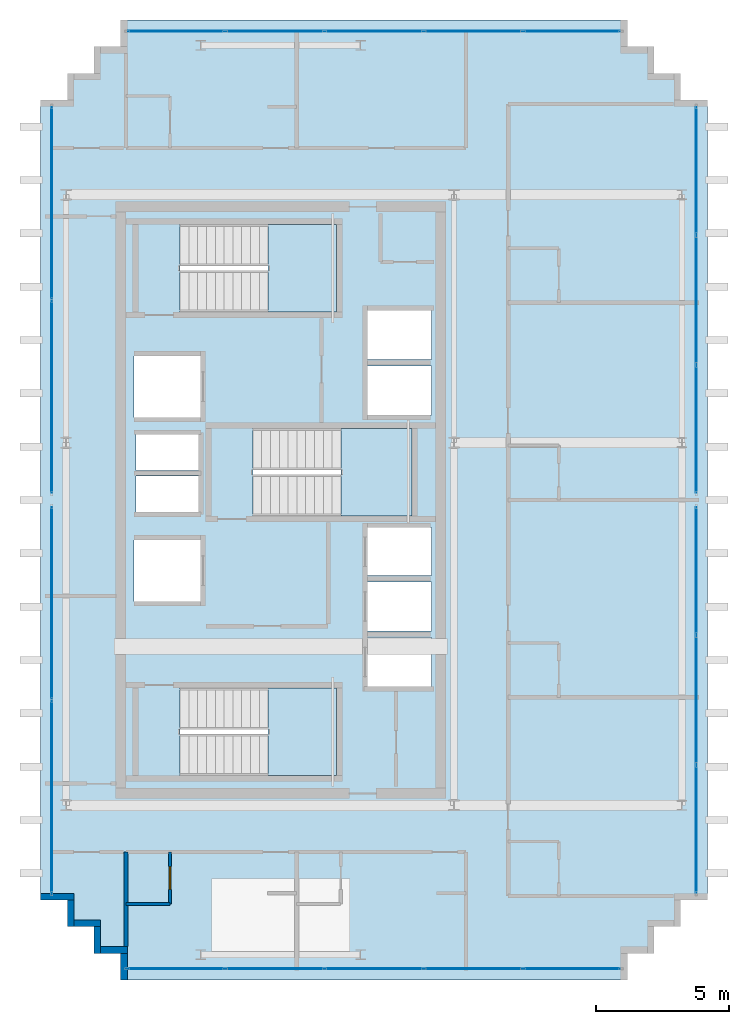
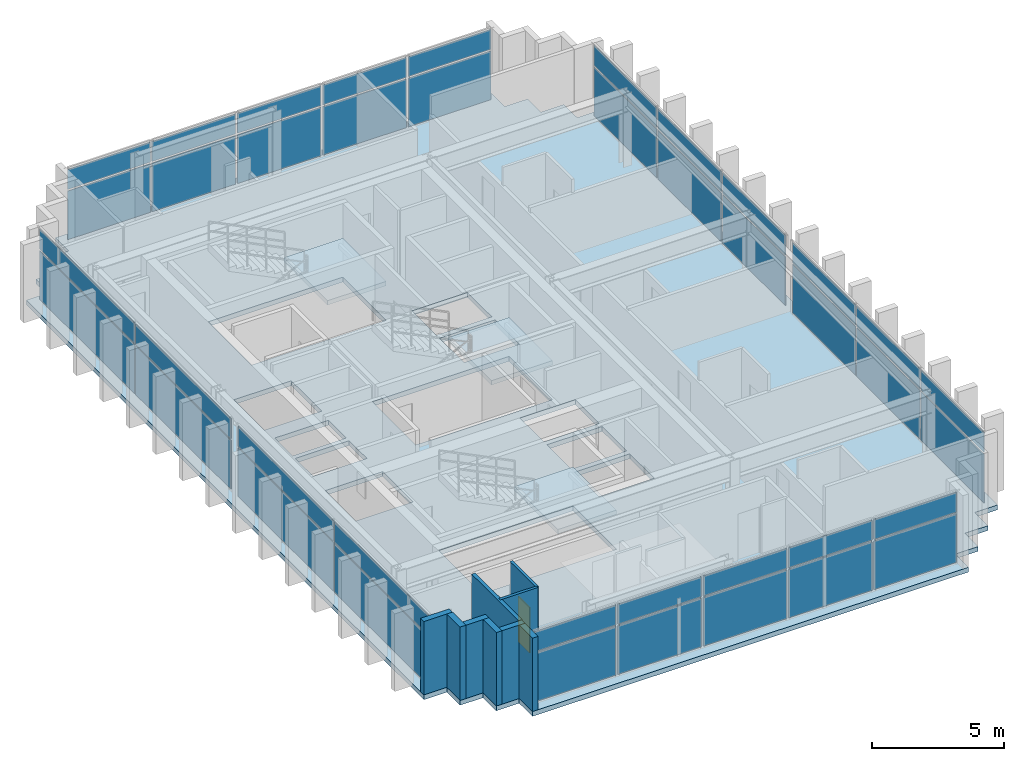
# One storey, part 11 of 15: 40 plates, 9 walls, 4 slabs, 1 door, 1 opening, 9 elements without a shape of their own.
"""IFC4 building model written with IfcOpenShell, lengths in metres."""

import ifcopenshell
import ifcopenshell.guid

model = None  # the IFC model being written
_history = None  # IfcOwnerHistory: only IFC2X3 demands one
_inside = {}  # id of a spatial element -> (the spatial element, [elements in it])
_under = {}  # id of a project, library or spatial element -> (it, [spatial elements below it])
_declared = {}  # id of a project -> (the project, [libraries it declares])
_typed = {}  # id of a type object -> (the type object, [elements of that type])
_made_of = {}  # id of a material, layer set ... -> (it, [elements and type objects made of it])


def new_model(schema):
    """Start an empty IFC model of exactly this schema.

    Asked for "IFC4X3", IfcOpenShell would pick the latest addendum, in which some entities
    have other attributes; the version numbers below select the first issue.
    IFC2X3 requires an IfcOwnerHistory on every rooted entity: one is made here for all.
    """
    global model, _history
    if schema == "IFC4X3":
        model = ifcopenshell.file(schema_version=(4, 3, 0, 0))
    else:
        model = ifcopenshell.file(schema=schema)
    _inside.clear()
    _under.clear()
    _declared.clear()
    _typed.clear()
    _made_of.clear()
    _history = None
    if model.schema == "IFC2X3":
        org = make("IfcOrganization", Name="unknown")
        user = make(
            "IfcPersonAndOrganization",
            ThePerson=make("IfcPerson", FamilyName="unknown"),
            TheOrganization=org,
        )
        app = make(
            "IfcApplication",
            ApplicationDeveloper=org,
            Version="unknown",
            ApplicationFullName="unknown",
            ApplicationIdentifier="unknown",
        )
        _history = make(
            "IfcOwnerHistory",
            OwningUser=user,
            OwningApplication=app,
            ChangeAction="ADDED",
            CreationDate=0,
        )
    return model


def make(cls, **values):
    """One entity of the class cls with the attributes given. An attribute that is None is left unset."""
    return model.create_entity(
        cls, **{name: value for name, value in values.items() if value is not None}
    )


def rooted(cls, **values):
    """An entity with a GlobalId (a new one), such as an element, a storey or a relation."""
    return make(cls, GlobalId=ifcopenshell.guid.new(), OwnerHistory=_history, **values)


def si_unit(unit_type, name, prefix=None):
    """IfcSIUnit, for example si_unit("LENGTHUNIT", "METRE", prefix="MILLI")."""
    return make("IfcSIUnit", UnitType=unit_type, Prefix=prefix, Name=name)


def assignment(units):
    """IfcUnitAssignment: the units of a project."""
    return None if units is None else make("IfcUnitAssignment", Units=units)


def point(xyz):
    """IfcCartesianPoint."""
    return None if xyz is None else make("IfcCartesianPoint", Coordinates=xyz)


def direction(xyz):
    """IfcDirection."""
    return None if xyz is None else make("IfcDirection", DirectionRatios=xyz)


def frame(location, z_axis=None, x_axis=None):
    """IfcAxis2Placement3D, a coordinate frame: its origin and axes. An axis left out is left unset."""
    return make(
        "IfcAxis2Placement3D",
        Location=point(location),
        Axis=direction(z_axis),
        RefDirection=direction(x_axis),
    )


def frame_2d(location, x_axis=None):
    """IfcAxis2Placement2D, a coordinate frame in the plane: its origin and x axis."""
    return make(
        "IfcAxis2Placement2D", Location=point(location), RefDirection=direction(x_axis)
    )


def origin():
    """The frame at (0, 0, 0) with its axes left unset."""
    return frame((0.0, 0.0, 0.0))


def origin_2d():
    """The frame at (0, 0) in the plane with its x axis left unset."""
    return frame_2d((0.0, 0.0))


def place(relative_to, where):
    """IfcLocalPlacement: puts the frame where relative to a parent placement (None: the world)."""
    return make(
        "IfcLocalPlacement", PlacementRelTo=relative_to, RelativePlacement=where
    )


def context(
    kind, dimensions, precision=None, world=None, true_north=None, identifier=None
):
    """IfcGeometricRepresentationContext, for example the 3D "Model" context."""
    return make(
        "IfcGeometricRepresentationContext",
        ContextIdentifier=identifier,
        ContextType=kind,
        CoordinateSpaceDimension=dimensions,
        Precision=precision,
        WorldCoordinateSystem=world,
        TrueNorth=true_north,
    )


def subcontext(parent, identifier, kind, view, scale=None):
    """IfcGeometricRepresentationSubContext, for example "Body" below "Model"."""
    return make(
        "IfcGeometricRepresentationSubContext",
        ContextIdentifier=identifier,
        ContextType=kind,
        ParentContext=parent,
        TargetScale=scale,
        TargetView=view,
    )


def project(units=None, contexts=None):
    """IfcProject with its units and contexts."""
    return rooted(
        "IfcProject",
        Name="project",
        RepresentationContexts=contexts,
        UnitsInContext=assignment(units),
    )


def spatial(cls, under=None, at=None, **own):
    """A site, building, storey or space (cls), placed at a placement, below another one or the project."""
    s = rooted(cls, ObjectPlacement=at, **own)
    if under is not None:
        _under.setdefault(under.id(), (under, []))[1].append(s)
    return s


def polyline(points):
    """IfcPolyline through the points."""
    return make("IfcPolyline", Points=[point(p) for p in points])


def profile(cls, at=None, kind="AREA", **sizes):
    """A parametric profile (cls). Its sizes go by their IFC names, for example OverallWidth=200.0."""
    return make(cls, ProfileType=kind, Position=at, **sizes)


def rectangle(**sizes):
    """IfcRectangleProfileDef."""
    return profile("IfcRectangleProfileDef", **sizes)


def outline(outer, holes=None, kind="AREA"):
    """IfcArbitraryClosedProfileDef: a profile drawn as a closed curve; with holes, ...WithVoids."""
    if holes is None:
        return make("IfcArbitraryClosedProfileDef", ProfileType=kind, OuterCurve=outer)
    return make(
        "IfcArbitraryProfileDefWithVoids",
        ProfileType=kind,
        OuterCurve=outer,
        InnerCurves=holes,
    )


def extrude(swept, where, along, depth):
    """IfcExtrudedAreaSolid: the profile swept, set in the frame where, extruded along a direction by depth."""
    return make(
        "IfcExtrudedAreaSolid",
        SweptArea=swept,
        Position=where,
        ExtrudedDirection=direction(along),
        Depth=depth,
    )


def shape(context_of_items, identifier, shape_type, items):
    """IfcShapeRepresentation: the items that make up one representation, for example the "Body"."""
    return make(
        "IfcShapeRepresentation",
        ContextOfItems=context_of_items,
        RepresentationIdentifier=identifier,
        RepresentationType=shape_type,
        Items=items,
    )


def source(mapping_origin, context_of_items, identifier, shape_type, items):
    """IfcRepresentationMap: a shape defined once, which mapped items show again and again."""
    return make(
        "IfcRepresentationMap",
        MappingOrigin=mapping_origin,
        MappedRepresentation=shape(context_of_items, identifier, shape_type, items),
    )


def transform(
    local_origin,
    x_axis=None,
    y_axis=None,
    z_axis=None,
    scale=None,
    scale2=None,
    scale3=None,
    uniform=True,
):
    """IfcCartesianTransformationOperator3D, or its non-uniform kind. x_axis, y_axis, z_axis: its Axis1, 2, 3."""
    if uniform:
        return make(
            "IfcCartesianTransformationOperator3D",
            Axis1=direction(x_axis),
            Axis2=direction(y_axis),
            LocalOrigin=point(local_origin),
            Scale=scale,
            Axis3=direction(z_axis),
        )
    return make(
        "IfcCartesianTransformationOperator3DnonUniform",
        Axis1=direction(x_axis),
        Axis2=direction(y_axis),
        LocalOrigin=point(local_origin),
        Scale=scale,
        Axis3=direction(z_axis),
        Scale2=scale2,
        Scale3=scale3,
    )


def mapped(mapping_source, mapping_target):
    """IfcMappedItem: shows the shape of a source again, moved by a transform."""
    return make(
        "IfcMappedItem", MappingSource=mapping_source, MappingTarget=mapping_target
    )


def material(Name=None, Category=None):
    """IfcMaterial."""
    return make("IfcMaterial", Name=Name, Category=Category)


def layer(
    of_material, thickness, ventilated=None, Name=None, Category=None, Priority=None
):
    """IfcMaterialLayer: one layer of a wall or slab, of a material (None: an air gap)."""
    return make(
        "IfcMaterialLayer",
        Material=of_material,
        LayerThickness=thickness,
        IsVentilated=ventilated,
        Name=Name,
        Category=Category,
        Priority=Priority,
    )


def layer_set(layers, Name=None):
    """IfcMaterialLayerSet."""
    return make("IfcMaterialLayerSet", MaterialLayers=layers, LayerSetName=Name)


def made_of(thing, what):
    """Note that an element or type object is made of a material, layer set ...; save() writes the relation."""
    if what is not None:
        _made_of.setdefault(what.id(), (what, []))[1].append(thing)
    return thing


def type_object(cls, material=None, **own):
    """A type object (cls), such as IfcWallType, which elements share."""
    return made_of(rooted(cls, **own), material)


def element(
    cls,
    number,
    at=None,
    inside=None,
    cuts=None,
    type_object=None,
    material=None,
    context=None,
    identifier="Body",
    shape_type=None,
    held_by="IfcProductDefinitionShape",
    body=None,
    shapes=None,
    **own,
):
    """One element of the class cls, such as IfcWall. Its Tag is "e" and its number.

    at: its placement. inside: the storey or other place that contains it. cuts: it is an
    opening in that element (IfcRelVoidsElement). A single representation is given by context,
    identifier, shape_type and body (its items); several are given by shapes. held_by: the class
    of the entity that holds the representations. save() writes the other relations.
    """
    e = rooted(cls, Tag="e%d" % number, ObjectPlacement=at, **own)
    if body is not None:
        shapes = [shape(context, identifier, shape_type, body)]
    if shapes is not None:
        e.Representation = make(held_by, Representations=shapes)
    if inside is not None:
        _inside.setdefault(inside.id(), (inside, []))[1].append(e)
    if cuts is not None:
        rooted(
            "IfcRelVoidsElement", RelatingBuildingElement=cuts, RelatedOpeningElement=e
        )
    if type_object is not None:
        _typed.setdefault(type_object.id(), (type_object, []))[1].append(e)
    return made_of(e, material)


def fill(opening, filler):
    """IfcRelFillsElement: the door or window that sits in an opening."""
    return rooted(
        "IfcRelFillsElement",
        RelatingOpeningElement=opening,
        RelatedBuildingElement=filler,
    )


def aggregate(whole, parts):
    """IfcRelAggregates: a whole, such as a stair, and the parts it consists of."""
    return rooted("IfcRelAggregates", RelatingObject=whole, RelatedObjects=parts)


def save(model, path):
    """Write the relations noted so far, then the file.

    IfcRelAggregates (storeys below a building ...), IfcRelContainedInSpatialStructure (elements
    in a storey), IfcRelDefinesByType, IfcRelAssociatesMaterial and IfcRelDeclares: one each for
    every whole, place, type object, material and project.
    """
    for whole, parts in _under.values():
        aggregate(whole, parts)
    for where, things in _inside.values():
        rooted(
            "IfcRelContainedInSpatialStructure",
            RelatedElements=things,
            RelatingStructure=where,
        )
    for kind, things in _typed.values():
        rooted("IfcRelDefinesByType", RelatedObjects=things, RelatingType=kind)
    for what, things in _made_of.values():
        rooted("IfcRelAssociatesMaterial", RelatedObjects=things, RelatingMaterial=what)
    for by, libraries in _declared.values():
        rooted("IfcRelDeclares", RelatingContext=by, RelatedDefinitions=libraries)
    model.write(path)


model = new_model("IFC4")

# Units and contexts
model_context = context("Model", 3, precision=1e-05, world=origin(), true_north=direction((0.0, 1.0)))
body_context = subcontext(model_context, "Body", "Model", "MODEL_VIEW")
ifc_project = project(units=[si_unit("LENGTHUNIT", "METRE"), si_unit("AREAUNIT", "SQUARE_METRE"), si_unit("VOLUMEUNIT", "CUBIC_METRE"), si_unit("PLANEANGLEUNIT", "RADIAN"), si_unit("MASSUNIT", "GRAM", prefix="KILO")], contexts=[model_context])

# Site, building, storey
site_placement = place(None, origin())
site = spatial("IfcSite", under=ifc_project, at=site_placement, CompositionType="ELEMENT")
building_placement = place(site_placement, origin())
building = spatial("IfcBuilding", under=site, at=building_placement, Name="Ocotamira Hotel", CompositionType="ELEMENT")
storey_placement = place(building_placement, frame((0.0, 0.0, 283.199951171875)))
storey = spatial("IfcBuildingStorey", under=building, at=storey_placement, Name="L72", CompositionType="ELEMENT", Elevation=283.199951171875)

# Stair, slab
ifc_material_1 = material(Name="Concrete C40/50", Category="concrete")
stair_type = type_object("IfcStairType", Name="ST-CORE-1560", PredefinedType="HALF_TURN_STAIR", material=ifc_material_1)
stair_1_placement = place(storey_placement, origin())
stair_1 = element("IfcStair", 1, at=stair_1_placement, inside=storey, type_object=stair_type, Name="L72 Exit Stair ST-1", PredefinedType="HALF_TURN_STAIR")
ifc_layer_1 = layer(ifc_material_1, 0.199951171875)
ifc_layer_set_1 = layer_set([ifc_layer_1], Name="Concrete C40/50")
slab_type_1 = type_object("IfcSlabType", Name="SLB-LAND-200", PredefinedType="LANDING", material=ifc_layer_set_1)
slab_1_placement = place(storey_placement, frame((0.0, 0.0, 1.60009765625)))
slab_1 = element("IfcSlab", 2, at=slab_1_placement, type_object=slab_type_1, Name="ST-1 landing 1", PredefinedType="LANDING", context=body_context, shape_type="SweptSolid", body=[
    extrude(outline(polyline([(16.530029296875, 15.669921875), (19.090087890625, 15.669921875), (19.090087890625, 18.949951171875), (16.530029296875, 18.949951171875), (16.530029296875, 15.669921875)])), origin(), (0.0, 0.0, 1.0), 0.199951171875),
])
aggregate(stair_1, [slab_1])

stair_2_placement = place(storey_placement, origin())
stair_2 = element("IfcStair", 3, at=stair_2_placement, inside=storey, type_object=stair_type, Name="L72 Exit Stair ST-2", PredefinedType="HALF_TURN_STAIR")
slab_2_placement = place(storey_placement, frame((0.0, 0.0, 1.60009765625)))
slab_2 = element("IfcSlab", 4, at=slab_2_placement, type_object=slab_type_1, Name="ST-2 landing 1", PredefinedType="LANDING", context=body_context, shape_type="SweptSolid", body=[
    extrude(outline(polyline([(16.530029296875, 33.050048828125), (19.090087890625, 33.050048828125), (19.090087890625, 36.330078125), (16.530029296875, 36.330078125), (16.530029296875, 33.050048828125)])), origin(), (0.0, 0.0, 1.0), 0.199951171875),
])
aggregate(stair_2, [slab_2])

stair_3_placement = place(storey_placement, origin())
stair_3 = element("IfcStair", 5, at=stair_3_placement, inside=storey, type_object=stair_type, Name="L72 Exit Stair ST-3", PredefinedType="HALF_TURN_STAIR")
slab_3_placement = place(storey_placement, frame((0.0, 0.0, 1.60009765625)))
slab_3 = element("IfcSlab", 6, at=slab_3_placement, type_object=slab_type_1, Name="ST-3 landing 1", PredefinedType="LANDING", context=body_context, shape_type="SweptSolid", body=[
    extrude(outline(polyline([(19.260009765625, 25.39990234375), (21.919921875, 25.39990234375), (21.919921875, 28.679931640625), (19.260009765625, 28.679931640625), (19.260009765625, 25.39990234375)])), origin(), (0.0, 0.0, 1.0), 0.199951171875),
])
aggregate(stair_3, [slab_3])

# Slab
ifc_layer_2 = layer(ifc_material_1, 0.219970703125)
ifc_layer_set_2 = layer_set([ifc_layer_2], Name="Concrete C40/50")
slab_type_2 = type_object("IfcSlabType", Name="SLB-UPP-220", PredefinedType="FLOOR", material=ifc_layer_set_2)
slab_4_placement = place(storey_placement, frame((0.0, 0.0, -0.219970703125)))
element("IfcSlab", 7, at=slab_4_placement, inside=storey, type_object=slab_type_2, Name="L72 Structural Floor Slab", PredefinedType="FLOOR", context=body_context, shape_type="SweptSolid", body=[
    extrude(outline(polyline([(11.0, 8.0), (30.0, 8.0), (30.0, 9.0), (31.0, 9.0), (31.0, 10.0), (32.0, 10.0), (32.0, 11.0), (33.0, 11.0), (33.0, 41.0), (32.0, 41.0), (32.0, 42.0), (31.0, 42.0), (31.0, 43.0), (30.0, 43.0), (30.0, 44.0), (11.0, 44.0), (11.0, 43.0), (10.0, 43.0), (10.0, 42.0), (9.0, 42.0), (9.0, 41.0), (8.0, 41.0), (8.0, 11.0), (9.0, 11.0), (9.0, 10.0), (10.0, 10.0), (10.0, 9.0), (11.0, 9.0), (11.0, 8.0)]), holes=[polyline([(13.22998046875, 15.669921875), (19.090087890625, 15.669921875), (19.090087890625, 18.949951171875), (13.22998046875, 18.949951171875), (13.22998046875, 15.669921875)]), polyline([(13.22998046875, 33.050048828125), (19.090087890625, 33.050048828125), (19.090087890625, 36.330078125), (13.22998046875, 36.330078125), (13.22998046875, 33.050048828125)]), polyline([(15.9599609375, 25.39990234375), (21.919921875, 25.39990234375), (21.919921875, 28.679931640625), (15.9599609375, 28.679931640625), (15.9599609375, 25.39990234375)]), polyline([(20.25, 19.0), (22.659912109375, 19.0), (22.659912109375, 20.85009765625), (20.25, 20.85009765625), (20.25, 19.0)]), polyline([(20.25, 21.080078125), (22.659912109375, 21.080078125), (22.659912109375, 22.929931640625), (20.25, 22.929931640625), (20.25, 21.080078125)]), polyline([(20.25, 23.159912109375), (22.659912109375, 23.159912109375), (22.659912109375, 24.9599609375), (20.25, 24.9599609375), (20.25, 23.159912109375)]), polyline([(20.25, 29.179931640625), (22.659912109375, 29.179931640625), (22.659912109375, 31.030029296875), (20.25, 31.030029296875), (20.25, 29.179931640625)]), polyline([(20.25, 31.260009765625), (22.659912109375, 31.260009765625), (22.659912109375, 33.110107421875), (20.25, 33.110107421875), (20.25, 31.260009765625)]), polyline([(11.5, 22.199951171875), (14.0, 22.199951171875), (14.0, 24.5), (11.5, 24.5), (11.5, 22.199951171875)]), polyline([(11.5, 29.10009765625), (14.0, 29.10009765625), (14.0, 31.39990234375), (11.5, 31.39990234375), (11.5, 29.10009765625)]), polyline([(11.580078125, 25.550048828125), (13.919921875, 25.550048828125), (13.919921875, 26.89990234375), (11.580078125, 26.89990234375), (11.580078125, 25.550048828125)]), polyline([(11.580078125, 27.10009765625), (13.919921875, 27.10009765625), (13.919921875, 28.449951171875), (11.580078125, 28.449951171875), (11.580078125, 27.10009765625)])]), origin(), (0.0, 0.0, 1.0), 0.219970703125),
])

# Curtain wall, plates
ifc_material_2 = material(Name="Anodised pale-metal aluminium and solar glass", Category="aluminium")
ifc_layer_3 = layer(ifc_material_2, 0.2099609375)
ifc_layer_set_3 = layer_set([ifc_layer_3], Name="Anodised pale-metal aluminium and solar glass")
curtain_wall_type = type_object("IfcCurtainWallType", Name="CW-SYS7-PEAK", PredefinedType="NOTDEFINED", material=ifc_layer_set_3)
curtain_wall_1_placement = place(storey_placement, origin())
curtain_wall_1 = element("IfcCurtainWall", 8, at=curtain_wall_1_placement, inside=storey, type_object=curtain_wall_type, Name="L72 Curtain Wall CW-7 CW-L72-W1", PredefinedType="NOTDEFINED")
ifc_material_3 = material(Name="Double-silver low-E insulated solar glass", Category="glass")
ifc_layer_4 = layer(ifc_material_3, 0.031982421875)
ifc_layer_set_4 = layer_set([ifc_layer_4], Name="Double-silver low-E insulated solar glass")
plate_type = type_object("IfcPlateType", Name="CWP-VISION-32", PredefinedType="CURTAIN_PANEL", material=ifc_layer_set_4)
shared_shape_1 = source(origin(), body_context, "Body", "SweptSolid", [
    extrude(rectangle(XDim=7.179931640625, YDim=0.031982421875, at=origin_2d()), origin(), (0.0, 0.0, 1.0), 2.237548828125),
])
plate_1_placement = place(storey_placement, frame((8.419921875, 14.8701171875, 0.0751953125), z_axis=(0.0, 0.0, 1.0), x_axis=(0.0, 1.0, 0.0)))
plate_1 = element("IfcPlate", 9, at=plate_1_placement, type_object=plate_type, Name="CW-7 panel 1.1", PredefinedType="CURTAIN_PANEL", context=body_context, shape_type="MappedRepresentation", body=[
    mapped(shared_shape_1, transform((0.0, 0.0, 0.0), scale=1.0)),
])
plate_2_placement = place(storey_placement, frame((8.419921875, 22.1298828125, 0.0751953125), z_axis=(0.0, 0.0, 1.0), x_axis=(0.0, 1.0, 0.0)))
plate_2 = element("IfcPlate", 10, at=plate_2_placement, type_object=plate_type, Name="CW-7 panel 2.1", PredefinedType="CURTAIN_PANEL", context=body_context, shape_type="MappedRepresentation", body=[
    mapped(shared_shape_1, transform((0.0, 0.0, 0.0), scale=1.0)),
])

curtain_wall_2_placement = place(storey_placement, origin())
curtain_wall_2 = element("IfcCurtainWall", 11, at=curtain_wall_2_placement, inside=storey, type_object=curtain_wall_type, Name="L72 Curtain Wall CW-7 CW-L72-W2", PredefinedType="NOTDEFINED")
plate_3_placement = place(storey_placement, frame((8.419921875, 29.8701171875, 0.0751953125), z_axis=(0.0, 0.0, 1.0), x_axis=(0.0, 1.0, 0.0)))
plate_3 = element("IfcPlate", 12, at=plate_3_placement, type_object=plate_type, Name="CW-7 panel 1.1", PredefinedType="CURTAIN_PANEL", context=body_context, shape_type="MappedRepresentation", body=[
    mapped(shared_shape_1, transform((0.0, 0.0, 0.0), scale=1.0)),
])
plate_4_placement = place(storey_placement, frame((8.419921875, 37.1298828125, 0.0751953125), z_axis=(0.0, 0.0, 1.0), x_axis=(0.0, 1.0, 0.0)))
plate_4 = element("IfcPlate", 13, at=plate_4_placement, type_object=plate_type, Name="CW-7 panel 2.1", PredefinedType="CURTAIN_PANEL", context=body_context, shape_type="MappedRepresentation", body=[
    mapped(shared_shape_1, transform((0.0, 0.0, 0.0), scale=1.0)),
])

# Plate
shared_shape_2 = source(origin(), body_context, "Body", "SweptSolid", [
    extrude(rectangle(XDim=7.179931640625, YDim=0.031982421875, at=origin_2d()), origin(), (0.0, 0.0, 1.0), 0.91748046875),
])
plate_5_placement = place(storey_placement, frame((8.419921875, 14.8701171875, 2.387451171875), z_axis=(0.0, 0.0, 1.0), x_axis=(0.0, 1.0, 0.0)))
plate_5 = element("IfcPlate", 14, at=plate_5_placement, type_object=plate_type, Name="CW-7 panel 1.2", PredefinedType="CURTAIN_PANEL", context=body_context, shape_type="MappedRepresentation", body=[
    mapped(shared_shape_2, transform((0.0, 0.0, 0.0), scale=1.0)),
])

plate_6_placement = place(storey_placement, frame((8.419921875, 22.1298828125, 2.387451171875), z_axis=(0.0, 0.0, 1.0), x_axis=(0.0, 1.0, 0.0)))
plate_6 = element("IfcPlate", 15, at=plate_6_placement, type_object=plate_type, Name="CW-7 panel 2.2", PredefinedType="CURTAIN_PANEL", context=body_context, shape_type="MappedRepresentation", body=[
    mapped(shared_shape_2, transform((0.0, 0.0, 0.0), scale=1.0)),
])

aggregate(curtain_wall_1, [plate_1, plate_5, plate_2, plate_6])

plate_7_placement = place(storey_placement, frame((8.419921875, 29.8701171875, 2.387451171875), z_axis=(0.0, 0.0, 1.0), x_axis=(0.0, 1.0, 0.0)))
plate_7 = element("IfcPlate", 16, at=plate_7_placement, type_object=plate_type, Name="CW-7 panel 1.2", PredefinedType="CURTAIN_PANEL", context=body_context, shape_type="MappedRepresentation", body=[
    mapped(shared_shape_2, transform((0.0, 0.0, 0.0), scale=1.0)),
])

plate_8_placement = place(storey_placement, frame((8.419921875, 37.1298828125, 2.387451171875), z_axis=(0.0, 0.0, 1.0), x_axis=(0.0, 1.0, 0.0)))
plate_8 = element("IfcPlate", 17, at=plate_8_placement, type_object=plate_type, Name="CW-7 panel 2.2", PredefinedType="CURTAIN_PANEL", context=body_context, shape_type="MappedRepresentation", body=[
    mapped(shared_shape_2, transform((0.0, 0.0, 0.0), scale=1.0)),
])

aggregate(curtain_wall_2, [plate_3, plate_7, plate_4, plate_8])

# Curtain wall, plates
curtain_wall_3_placement = place(storey_placement, origin())
curtain_wall_3 = element("IfcCurtainWall", 18, at=curtain_wall_3_placement, inside=storey, type_object=curtain_wall_type, Name="L72 Curtain Wall CW-7 CW-L72-S1", PredefinedType="NOTDEFINED")
shared_shape_3 = source(origin(), body_context, "Body", "SweptSolid", [
    extrude(rectangle(XDim=3.60009765625, YDim=0.031982421875, at=origin_2d()), origin(), (0.0, 0.0, 1.0), 2.237548828125),
])
plate_9_placement = place(storey_placement, frame((13.080078125, 8.419921875, 0.0751953125), z_axis=(0.0, 0.0, 1.0), x_axis=(1.0, 0.0, 0.0)))
plate_9 = element("IfcPlate", 19, at=plate_9_placement, type_object=plate_type, Name="CW-7 panel 1.1", PredefinedType="CURTAIN_PANEL", context=body_context, shape_type="MappedRepresentation", body=[
    mapped(shared_shape_3, transform((0.0, 0.0, 0.0), scale=1.0)),
])
plate_10_placement = place(storey_placement, frame((27.919921875, 8.419921875, 0.0751953125), z_axis=(0.0, 0.0, 1.0), x_axis=(1.0, 0.0, 0.0)))
plate_10 = element("IfcPlate", 20, at=plate_10_placement, type_object=plate_type, Name="CW-7 panel 5.1", PredefinedType="CURTAIN_PANEL", context=body_context, shape_type="MappedRepresentation", body=[
    mapped(shared_shape_3, transform((0.0, 0.0, 0.0), scale=1.0)),
])

curtain_wall_4_placement = place(storey_placement, origin())
curtain_wall_4 = element("IfcCurtainWall", 21, at=curtain_wall_4_placement, inside=storey, type_object=curtain_wall_type, Name="L72 Curtain Wall CW-7 CW-L72-N", PredefinedType="NOTDEFINED")
plate_11_placement = place(storey_placement, frame((13.080078125, 43.580078125, 0.0751953125), z_axis=(0.0, 0.0, 1.0), x_axis=(1.0, 0.0, 0.0)))
plate_11 = element("IfcPlate", 22, at=plate_11_placement, type_object=plate_type, Name="CW-7 panel 1.1", PredefinedType="CURTAIN_PANEL", context=body_context, shape_type="MappedRepresentation", body=[
    mapped(shared_shape_3, transform((0.0, 0.0, 0.0), scale=1.0)),
])
plate_12_placement = place(storey_placement, frame((27.919921875, 43.580078125, 0.0751953125), z_axis=(0.0, 0.0, 1.0), x_axis=(1.0, 0.0, 0.0)))
plate_12 = element("IfcPlate", 23, at=plate_12_placement, type_object=plate_type, Name="CW-7 panel 5.1", PredefinedType="CURTAIN_PANEL", context=body_context, shape_type="MappedRepresentation", body=[
    mapped(shared_shape_3, transform((0.0, 0.0, 0.0), scale=1.0)),
])

# Plate
shared_shape_4 = source(origin(), body_context, "Body", "SweptSolid", [
    extrude(rectangle(XDim=3.60009765625, YDim=0.031982421875, at=origin_2d()), origin(), (0.0, 0.0, 1.0), 0.91748046875),
])
plate_13_placement = place(storey_placement, frame((13.080078125, 8.419921875, 2.387451171875), z_axis=(0.0, 0.0, 1.0), x_axis=(1.0, 0.0, 0.0)))
plate_13 = element("IfcPlate", 24, at=plate_13_placement, type_object=plate_type, Name="CW-7 panel 1.2", PredefinedType="CURTAIN_PANEL", context=body_context, shape_type="MappedRepresentation", body=[
    mapped(shared_shape_4, transform((0.0, 0.0, 0.0), scale=1.0)),
])

plate_14_placement = place(storey_placement, frame((27.919921875, 8.419921875, 2.387451171875), z_axis=(0.0, 0.0, 1.0), x_axis=(1.0, 0.0, 0.0)))
plate_14 = element("IfcPlate", 25, at=plate_14_placement, type_object=plate_type, Name="CW-7 panel 5.2", PredefinedType="CURTAIN_PANEL", context=body_context, shape_type="MappedRepresentation", body=[
    mapped(shared_shape_4, transform((0.0, 0.0, 0.0), scale=1.0)),
])

plate_15_placement = place(storey_placement, frame((13.080078125, 43.580078125, 2.387451171875), z_axis=(0.0, 0.0, 1.0), x_axis=(1.0, 0.0, 0.0)))
plate_15 = element("IfcPlate", 26, at=plate_15_placement, type_object=plate_type, Name="CW-7 panel 1.2", PredefinedType="CURTAIN_PANEL", context=body_context, shape_type="MappedRepresentation", body=[
    mapped(shared_shape_4, transform((0.0, 0.0, 0.0), scale=1.0)),
])

plate_16_placement = place(storey_placement, frame((27.919921875, 43.580078125, 2.387451171875), z_axis=(0.0, 0.0, 1.0), x_axis=(1.0, 0.0, 0.0)))
plate_16 = element("IfcPlate", 27, at=plate_16_placement, type_object=plate_type, Name="CW-7 panel 5.2", PredefinedType="CURTAIN_PANEL", context=body_context, shape_type="MappedRepresentation", body=[
    mapped(shared_shape_4, transform((0.0, 0.0, 0.0), scale=1.0)),
])

shared_shape_5 = source(origin(), body_context, "Body", "SweptSolid", [
    extrude(rectangle(XDim=3.639892578125, YDim=0.031982421875, at=origin_2d()), origin(), (0.0, 0.0, 1.0), 2.237548828125),
])
plate_17_placement = place(storey_placement, frame((16.780029296875, 8.419921875, 0.0751953125), z_axis=(0.0, 0.0, 1.0), x_axis=(1.0, 0.0, 0.0)))
plate_17 = element("IfcPlate", 28, at=plate_17_placement, type_object=plate_type, Name="CW-7 panel 2.1", PredefinedType="CURTAIN_PANEL", context=body_context, shape_type="MappedRepresentation", body=[
    mapped(shared_shape_5, transform((0.0, 0.0, 0.0), scale=1.0)),
])

plate_18_placement = place(storey_placement, frame((20.5, 8.419921875, 0.0751953125), z_axis=(0.0, 0.0, 1.0), x_axis=(1.0, 0.0, 0.0)))
plate_18 = element("IfcPlate", 29, at=plate_18_placement, type_object=plate_type, Name="CW-7 panel 3.1", PredefinedType="CURTAIN_PANEL", context=body_context, shape_type="MappedRepresentation", body=[
    mapped(shared_shape_5, transform((0.0, 0.0, 0.0), scale=1.0)),
])

plate_19_placement = place(storey_placement, frame((24.219970703125, 8.419921875, 0.0751953125), z_axis=(0.0, 0.0, 1.0), x_axis=(1.0, 0.0, 0.0)))
plate_19 = element("IfcPlate", 30, at=plate_19_placement, type_object=plate_type, Name="CW-7 panel 4.1", PredefinedType="CURTAIN_PANEL", context=body_context, shape_type="MappedRepresentation", body=[
    mapped(shared_shape_5, transform((0.0, 0.0, 0.0), scale=1.0)),
])

plate_20_placement = place(storey_placement, frame((16.780029296875, 43.580078125, 0.0751953125), z_axis=(0.0, 0.0, 1.0), x_axis=(1.0, 0.0, 0.0)))
plate_20 = element("IfcPlate", 31, at=plate_20_placement, type_object=plate_type, Name="CW-7 panel 2.1", PredefinedType="CURTAIN_PANEL", context=body_context, shape_type="MappedRepresentation", body=[
    mapped(shared_shape_5, transform((0.0, 0.0, 0.0), scale=1.0)),
])

plate_21_placement = place(storey_placement, frame((20.5, 43.580078125, 0.0751953125), z_axis=(0.0, 0.0, 1.0), x_axis=(1.0, 0.0, 0.0)))
plate_21 = element("IfcPlate", 32, at=plate_21_placement, type_object=plate_type, Name="CW-7 panel 3.1", PredefinedType="CURTAIN_PANEL", context=body_context, shape_type="MappedRepresentation", body=[
    mapped(shared_shape_5, transform((0.0, 0.0, 0.0), scale=1.0)),
])

plate_22_placement = place(storey_placement, frame((24.219970703125, 43.580078125, 0.0751953125), z_axis=(0.0, 0.0, 1.0), x_axis=(1.0, 0.0, 0.0)))
plate_22 = element("IfcPlate", 33, at=plate_22_placement, type_object=plate_type, Name="CW-7 panel 4.1", PredefinedType="CURTAIN_PANEL", context=body_context, shape_type="MappedRepresentation", body=[
    mapped(shared_shape_5, transform((0.0, 0.0, 0.0), scale=1.0)),
])

shared_shape_6 = source(origin(), body_context, "Body", "SweptSolid", [
    extrude(rectangle(XDim=3.639892578125, YDim=0.031982421875, at=origin_2d()), origin(), (0.0, 0.0, 1.0), 0.91748046875),
])
plate_23_placement = place(storey_placement, frame((16.780029296875, 8.419921875, 2.387451171875), z_axis=(0.0, 0.0, 1.0), x_axis=(1.0, 0.0, 0.0)))
plate_23 = element("IfcPlate", 34, at=plate_23_placement, type_object=plate_type, Name="CW-7 panel 2.2", PredefinedType="CURTAIN_PANEL", context=body_context, shape_type="MappedRepresentation", body=[
    mapped(shared_shape_6, transform((0.0, 0.0, 0.0), scale=1.0)),
])

plate_24_placement = place(storey_placement, frame((20.5, 8.419921875, 2.387451171875), z_axis=(0.0, 0.0, 1.0), x_axis=(1.0, 0.0, 0.0)))
plate_24 = element("IfcPlate", 35, at=plate_24_placement, type_object=plate_type, Name="CW-7 panel 3.2", PredefinedType="CURTAIN_PANEL", context=body_context, shape_type="MappedRepresentation", body=[
    mapped(shared_shape_6, transform((0.0, 0.0, 0.0), scale=1.0)),
])

plate_25_placement = place(storey_placement, frame((24.219970703125, 8.419921875, 2.387451171875), z_axis=(0.0, 0.0, 1.0), x_axis=(1.0, 0.0, 0.0)))
plate_25 = element("IfcPlate", 36, at=plate_25_placement, type_object=plate_type, Name="CW-7 panel 4.2", PredefinedType="CURTAIN_PANEL", context=body_context, shape_type="MappedRepresentation", body=[
    mapped(shared_shape_6, transform((0.0, 0.0, 0.0), scale=1.0)),
])

aggregate(curtain_wall_3, [plate_9, plate_13, plate_17, plate_23, plate_18, plate_24, plate_19, plate_25, plate_10, plate_14])

plate_26_placement = place(storey_placement, frame((16.780029296875, 43.580078125, 2.387451171875), z_axis=(0.0, 0.0, 1.0), x_axis=(1.0, 0.0, 0.0)))
plate_26 = element("IfcPlate", 37, at=plate_26_placement, type_object=plate_type, Name="CW-7 panel 2.2", PredefinedType="CURTAIN_PANEL", context=body_context, shape_type="MappedRepresentation", body=[
    mapped(shared_shape_6, transform((0.0, 0.0, 0.0), scale=1.0)),
])

plate_27_placement = place(storey_placement, frame((20.5, 43.580078125, 2.387451171875), z_axis=(0.0, 0.0, 1.0), x_axis=(1.0, 0.0, 0.0)))
plate_27 = element("IfcPlate", 38, at=plate_27_placement, type_object=plate_type, Name="CW-7 panel 3.2", PredefinedType="CURTAIN_PANEL", context=body_context, shape_type="MappedRepresentation", body=[
    mapped(shared_shape_6, transform((0.0, 0.0, 0.0), scale=1.0)),
])

plate_28_placement = place(storey_placement, frame((24.219970703125, 43.580078125, 2.387451171875), z_axis=(0.0, 0.0, 1.0), x_axis=(1.0, 0.0, 0.0)))
plate_28 = element("IfcPlate", 39, at=plate_28_placement, type_object=plate_type, Name="CW-7 panel 4.2", PredefinedType="CURTAIN_PANEL", context=body_context, shape_type="MappedRepresentation", body=[
    mapped(shared_shape_6, transform((0.0, 0.0, 0.0), scale=1.0)),
])

aggregate(curtain_wall_4, [plate_11, plate_15, plate_20, plate_26, plate_21, plate_27, plate_22, plate_28, plate_12, plate_16])

# Curtain wall, plates
curtain_wall_5_placement = place(storey_placement, origin())
curtain_wall_5 = element("IfcCurtainWall", 40, at=curtain_wall_5_placement, inside=storey, type_object=curtain_wall_type, Name="L72 Curtain Wall CW-7 CW-L72-E1", PredefinedType="NOTDEFINED")
shared_shape_7 = source(origin(), body_context, "Body", "SweptSolid", [
    extrude(rectangle(XDim=4.74658203125, YDim=0.031982421875, at=origin_2d()), origin(), (0.0, 0.0, 1.0), 2.237548828125),
])
plate_29_placement = place(storey_placement, frame((32.580078125, 13.6533203125, 0.0751953125), z_axis=(0.0, 0.0, 1.0), x_axis=(0.0, 1.0, 0.0)))
plate_29 = element("IfcPlate", 41, at=plate_29_placement, type_object=plate_type, Name="CW-7 panel 1.1", PredefinedType="CURTAIN_PANEL", context=body_context, shape_type="MappedRepresentation", body=[
    mapped(shared_shape_7, transform((0.0, 0.0, 0.0), scale=1.0)),
])
plate_30_placement = place(storey_placement, frame((32.580078125, 23.3466796875, 0.0751953125), z_axis=(0.0, 0.0, 1.0), x_axis=(0.0, 1.0, 0.0)))
plate_30 = element("IfcPlate", 42, at=plate_30_placement, type_object=plate_type, Name="CW-7 panel 3.1", PredefinedType="CURTAIN_PANEL", context=body_context, shape_type="MappedRepresentation", body=[
    mapped(shared_shape_7, transform((0.0, 0.0, 0.0), scale=1.0)),
])

curtain_wall_6_placement = place(storey_placement, origin())
curtain_wall_6 = element("IfcCurtainWall", 43, at=curtain_wall_6_placement, inside=storey, type_object=curtain_wall_type, Name="L72 Curtain Wall CW-7 CW-L72-E2", PredefinedType="NOTDEFINED")
plate_31_placement = place(storey_placement, frame((32.580078125, 28.6533203125, 0.0751953125), z_axis=(0.0, 0.0, 1.0), x_axis=(0.0, 1.0, 0.0)))
plate_31 = element("IfcPlate", 44, at=plate_31_placement, type_object=plate_type, Name="CW-7 panel 1.1", PredefinedType="CURTAIN_PANEL", context=body_context, shape_type="MappedRepresentation", body=[
    mapped(shared_shape_7, transform((0.0, 0.0, 0.0), scale=1.0)),
])
plate_32_placement = place(storey_placement, frame((32.580078125, 38.3466796875, 0.0751953125), z_axis=(0.0, 0.0, 1.0), x_axis=(0.0, 1.0, 0.0)))
plate_32 = element("IfcPlate", 45, at=plate_32_placement, type_object=plate_type, Name="CW-7 panel 3.1", PredefinedType="CURTAIN_PANEL", context=body_context, shape_type="MappedRepresentation", body=[
    mapped(shared_shape_7, transform((0.0, 0.0, 0.0), scale=1.0)),
])

# Plate
shared_shape_8 = source(origin(), body_context, "Body", "SweptSolid", [
    extrude(rectangle(XDim=4.74658203125, YDim=0.031982421875, at=origin_2d()), origin(), (0.0, 0.0, 1.0), 0.91748046875),
])
plate_33_placement = place(storey_placement, frame((32.580078125, 13.6533203125, 2.387451171875), z_axis=(0.0, 0.0, 1.0), x_axis=(0.0, 1.0, 0.0)))
plate_33 = element("IfcPlate", 46, at=plate_33_placement, type_object=plate_type, Name="CW-7 panel 1.2", PredefinedType="CURTAIN_PANEL", context=body_context, shape_type="MappedRepresentation", body=[
    mapped(shared_shape_8, transform((0.0, 0.0, 0.0), scale=1.0)),
])

plate_34_placement = place(storey_placement, frame((32.580078125, 23.3466796875, 2.387451171875), z_axis=(0.0, 0.0, 1.0), x_axis=(0.0, 1.0, 0.0)))
plate_34 = element("IfcPlate", 47, at=plate_34_placement, type_object=plate_type, Name="CW-7 panel 3.2", PredefinedType="CURTAIN_PANEL", context=body_context, shape_type="MappedRepresentation", body=[
    mapped(shared_shape_8, transform((0.0, 0.0, 0.0), scale=1.0)),
])

plate_35_placement = place(storey_placement, frame((32.580078125, 28.6533203125, 2.387451171875), z_axis=(0.0, 0.0, 1.0), x_axis=(0.0, 1.0, 0.0)))
plate_35 = element("IfcPlate", 48, at=plate_35_placement, type_object=plate_type, Name="CW-7 panel 1.2", PredefinedType="CURTAIN_PANEL", context=body_context, shape_type="MappedRepresentation", body=[
    mapped(shared_shape_8, transform((0.0, 0.0, 0.0), scale=1.0)),
])

plate_36_placement = place(storey_placement, frame((32.580078125, 38.3466796875, 2.387451171875), z_axis=(0.0, 0.0, 1.0), x_axis=(0.0, 1.0, 0.0)))
plate_36 = element("IfcPlate", 49, at=plate_36_placement, type_object=plate_type, Name="CW-7 panel 3.2", PredefinedType="CURTAIN_PANEL", context=body_context, shape_type="MappedRepresentation", body=[
    mapped(shared_shape_8, transform((0.0, 0.0, 0.0), scale=1.0)),
])

shared_shape_9 = source(origin(), body_context, "Body", "SweptSolid", [
    extrude(rectangle(XDim=4.78662109375, YDim=0.031982421875, at=origin_2d()), origin(), (0.0, 0.0, 1.0), 2.237548828125),
])
plate_37_placement = place(storey_placement, frame((32.580078125, 18.5, 0.0751953125), z_axis=(0.0, 0.0, 1.0), x_axis=(0.0, 1.0, 0.0)))
plate_37 = element("IfcPlate", 50, at=plate_37_placement, type_object=plate_type, Name="CW-7 panel 2.1", PredefinedType="CURTAIN_PANEL", context=body_context, shape_type="MappedRepresentation", body=[
    mapped(shared_shape_9, transform((0.0, 0.0, 0.0), scale=1.0)),
])

plate_38_placement = place(storey_placement, frame((32.580078125, 33.5, 0.0751953125), z_axis=(0.0, 0.0, 1.0), x_axis=(0.0, 1.0, 0.0)))
plate_38 = element("IfcPlate", 51, at=plate_38_placement, type_object=plate_type, Name="CW-7 panel 2.1", PredefinedType="CURTAIN_PANEL", context=body_context, shape_type="MappedRepresentation", body=[
    mapped(shared_shape_9, transform((0.0, 0.0, 0.0), scale=1.0)),
])

shared_shape_10 = source(origin(), body_context, "Body", "SweptSolid", [
    extrude(rectangle(XDim=4.78662109375, YDim=0.031982421875, at=origin_2d()), origin(), (0.0, 0.0, 1.0), 0.91748046875),
])
plate_39_placement = place(storey_placement, frame((32.580078125, 18.5, 2.387451171875), z_axis=(0.0, 0.0, 1.0), x_axis=(0.0, 1.0, 0.0)))
plate_39 = element("IfcPlate", 52, at=plate_39_placement, type_object=plate_type, Name="CW-7 panel 2.2", PredefinedType="CURTAIN_PANEL", context=body_context, shape_type="MappedRepresentation", body=[
    mapped(shared_shape_10, transform((0.0, 0.0, 0.0), scale=1.0)),
])

aggregate(curtain_wall_5, [plate_29, plate_33, plate_37, plate_39, plate_30, plate_34])

plate_40_placement = place(storey_placement, frame((32.580078125, 33.5, 2.387451171875), z_axis=(0.0, 0.0, 1.0), x_axis=(0.0, 1.0, 0.0)))
plate_40 = element("IfcPlate", 53, at=plate_40_placement, type_object=plate_type, Name="CW-7 panel 2.2", PredefinedType="CURTAIN_PANEL", context=body_context, shape_type="MappedRepresentation", body=[
    mapped(shared_shape_10, transform((0.0, 0.0, 0.0), scale=1.0)),
])

aggregate(curtain_wall_6, [plate_31, plate_35, plate_38, plate_40, plate_32, plate_36])

# Walls
ifc_material_4 = material(Name="Precast concrete C45/55", Category="concrete")
ifc_layer_5 = layer(ifc_material_4, 0.25)
ifc_layer_set_5 = layer_set([ifc_layer_5], Name="Precast concrete C45/55")
wall_type_1 = type_object("IfcWallType", Name="WL-EXT-SER-250", PredefinedType="SOLIDWALL", material=ifc_layer_set_5)
wall_1_placement = place(storey_placement, frame((8.0, 11.125, 0.0), z_axis=(0.0, 0.0, 1.0), x_axis=(1.0, 0.0, 0.0)))
element("IfcWall", 54, at=wall_1_placement, inside=storey, type_object=wall_type_1, Name="L72 Serrated Corner Wall 19", PredefinedType="SOLIDWALL", context=body_context, shape_type="SweptSolid", body=[
    extrude(rectangle(XDim=1.25, YDim=0.25, at=frame_2d((0.625, 0.0))), origin(), (0.0, 0.0, 1.0), 3.380126953125),
])
for number, where, z_axis, x_axis, name in (
    (55, (9.125, 11.0, 0.0), (0.0, 0.0, 1.0), (0.0, -1.0, 0.0), "L72 Serrated Corner Wall 20"),
    (56, (9.25, 10.125, 0.0), (0.0, 0.0, 1.0), (1.0, 0.0, 0.0), "L72 Serrated Corner Wall 21"),
    (57, (10.125, 10.0, 0.0), (0.0, 0.0, 1.0), (0.0, -1.0, 0.0), "L72 Serrated Corner Wall 22"),
    (58, (10.25, 9.125, 0.0), (0.0, 0.0, 1.0), (1.0, 0.0, 0.0), "L72 Serrated Corner Wall 23"),
    (59, (11.125, 9.0, 0.0), (0.0, 0.0, 1.0), (0.0, -1.0, 0.0), "L72 Serrated Corner Wall 24"),
):
    element("IfcWall", number, at=place(storey_placement, frame(where, z_axis=z_axis, x_axis=x_axis)), inside=storey, type_object=wall_type_1, Name=name, PredefinedType="SOLIDWALL", context=body_context, shape_type="SweptSolid", body=[
        extrude(rectangle(XDim=1.0, YDim=0.25, at=frame_2d((0.5, 0.0))), origin(), (0.0, 0.0, 1.0), 3.380126953125),
    ])

# Wall, opening, door
ifc_material_5 = material(Name="Moisture-resistant en-suite tile and gypsum partition", Category="gypsum")
ifc_layer_6 = layer(ifc_material_5, 0.1201171875)
ifc_layer_set_6 = layer_set([ifc_layer_6], Name="Moisture-resistant en-suite tile and gypsum partition")
wall_type_2 = type_object("IfcWallType", Name="WL-PART-120", PredefinedType="PARTITIONING", material=ifc_layer_set_6)
wall_2_placement = place(storey_placement, frame((12.85009765625, 10.85009765625, 0.0), z_axis=(0.0, 0.0, 1.0), x_axis=(0.0, 1.0, 0.0)))
wall_2 = element("IfcWall", 60, at=wall_2_placement, inside=storey, type_object=wall_type_2, Name="L72 Interior Wall PW-L72-WP1S-BAE1", PredefinedType="PARTITIONING", context=body_context, shape_type="SweptSolid", body=[
    extrude(rectangle(XDim=1.949951171875, YDim=0.1201171875, at=frame_2d((0.97509765625, 0.0))), origin(), (0.0, 0.0, 1.0), 3.380126953125),
])
opening_placement = place(wall_2_placement, frame((0.544921875, 0.0, 0.0)))
opening = element("IfcOpeningElement", 61, at=opening_placement, cuts=wall_2, Name="Opening D-BA1", PredefinedType="OPENING", context=body_context, shape_type="SweptSolid", body=[
    extrude(rectangle(XDim=0.860107421875, YDim=2.10009765625, at=frame_2d((0.43017578125, 1.050048828125))), frame((0.0, 0.070068359375, 0.0), z_axis=(0.0, -1.0, 0.0), x_axis=(1.0, 0.0, 0.0)), (0.0, 0.0, 1.0), 0.14013671875),
])
ifc_material_6 = material(Name="Moisture-sealed en-suite timber door", Category="wood")
door_type = type_object("IfcDoorType", Name="DR-BATH-860", OperationType="NOTDEFINED", PredefinedType="DOOR", material=ifc_material_6)
shared_shape_11 = source(origin(), body_context, "Body", "SweptSolid", [
    extrude(rectangle(XDim=0.860107421875, YDim=2.10009765625, at=frame_2d((0.43017578125, 1.050048828125))), frame((0.0, 0.02490234375, 0.0), z_axis=(0.0, -1.0, 0.0), x_axis=(1.0, 0.0, 0.0)), (0.0, 0.0, 1.0), 0.050048828125),
])
door_placement = place(opening_placement, origin())
door = element("IfcDoor", 62, at=door_placement, inside=storey, type_object=door_type, Name="L72 Door ID-L72-WP1S-BAD1 [ID-L72-WP1S-BAD1]", OperationType="SINGLE_SWING_RIGHT", OverallHeight=2.10009765625, OverallWidth=0.860107421875, PredefinedType="DOOR", context=body_context, shape_type="MappedRepresentation", body=[
    mapped(shared_shape_11, transform((0.0, 0.0, 0.0), scale=1.0)),
])
fill(opening, door)

# Walls
wall_3_placement = place(storey_placement, frame((11.199951171875, 10.85009765625, 0.0), z_axis=(0.0, 0.0, 1.0), x_axis=(1.0, 0.0, 0.0)))
element("IfcWall", 63, at=wall_3_placement, inside=storey, type_object=wall_type_2, Name="L72 Interior Wall PW-L72-WP1S-BAS1", PredefinedType="PARTITIONING", context=body_context, shape_type="SweptSolid", body=[
    extrude(rectangle(XDim=1.650146484375, YDim=0.1201171875, at=frame_2d((0.8251953125, 0.0))), origin(), (0.0, 0.0, 1.0), 3.380126953125),
])
ifc_material_7 = material(Name="Acoustic double-stud hospitality gypsum partition", Category="gypsum")
ifc_layer_7 = layer(ifc_material_7, 0.159912109375)
ifc_layer_set_7 = layer_set([ifc_layer_7], Name="Acoustic double-stud hospitality gypsum partition")
wall_type_3 = type_object("IfcWallType", Name="WL-PART-160", PredefinedType="PARTITIONING", material=ifc_layer_set_7)
wall_4_placement = place(storey_placement, frame((11.199951171875, 9.260009765625, 0.0), z_axis=(0.0, 0.0, 1.0), x_axis=(0.0, 1.0, 0.0)))
element("IfcWall", 64, at=wall_4_placement, inside=storey, type_object=wall_type_3, Name="L72 Interior Wall PW-L72-WP1S-PW0", PredefinedType="PARTITIONING", context=body_context, shape_type="SweptSolid", body=[
    extrude(rectangle(XDim=3.5400390625, YDim=0.159912109375, at=frame_2d((1.77001953125, 0.0))), origin(), (0.0, 0.0, 1.0), 3.380126953125),
])

save(model, "model.ifc")
